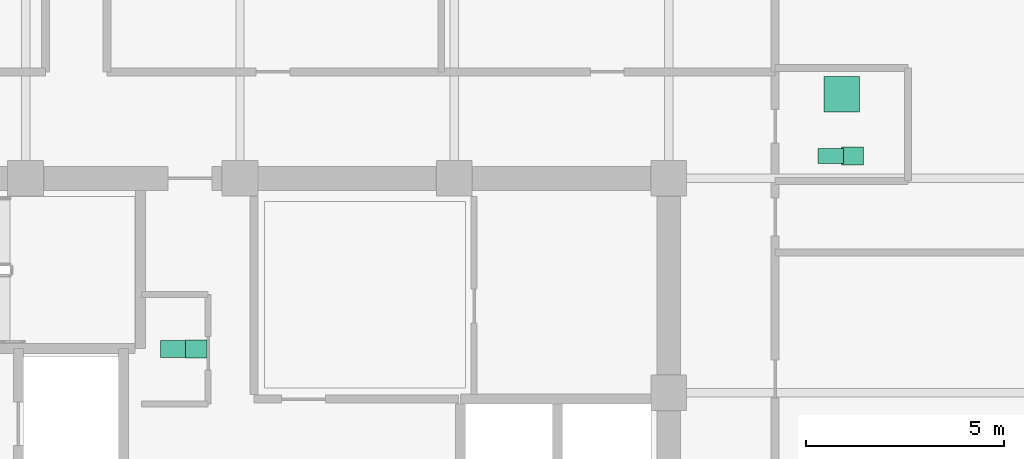
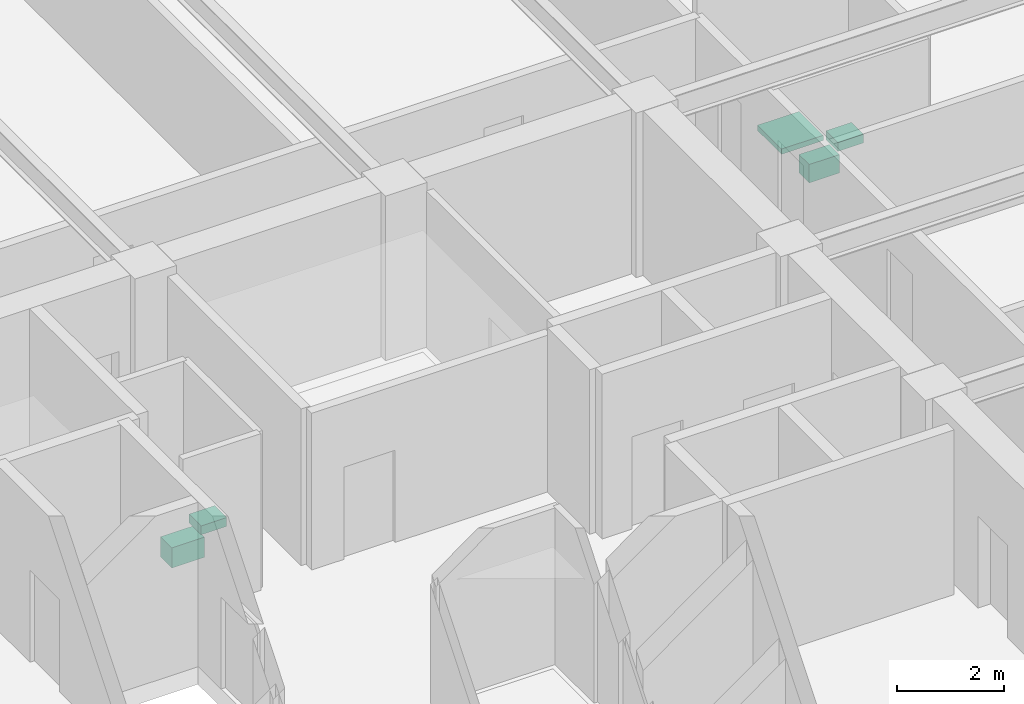
# One storey, part 35 of 36: 5 sanitary terminals.
"""IFC4 building model written with IfcOpenShell, lengths in metres."""

from ifc_helpers import new_model, si_unit, direction, frame, origin, origin_2d, place, context, subcontext, project, spatial, rectangle, extrude, material, type_object, element, save


model = new_model("IFC4")

# Units and contexts
model_context = context("Model", 3, precision=1e-05, world=origin(), true_north=direction((0.0, 1.0)))
body_context = subcontext(model_context, "Body", "Model", "MODEL_VIEW")
ifc_project = project(units=[si_unit("LENGTHUNIT", "METRE"), si_unit("AREAUNIT", "SQUARE_METRE"), si_unit("VOLUMEUNIT", "CUBIC_METRE"), si_unit("PLANEANGLEUNIT", "RADIAN"), si_unit("MASSUNIT", "GRAM", prefix="KILO")], contexts=[model_context])

# Site, building, storey
site_placement = place(None, origin())
site = spatial("IfcSite", under=ifc_project, at=site_placement, CompositionType="ELEMENT")
building_placement = place(site_placement, origin())
building = spatial("IfcBuilding", under=site, at=building_placement, Name="Surkhivell Harbour Commons", CompositionType="ELEMENT")
storey_placement = place(building_placement, frame((0.0, 0.0, 171.0)))
storey = spatial("IfcBuildingStorey", under=building, at=storey_placement, Name="L44", CompositionType="ELEMENT", Elevation=171.0)

# Sanitary terminals
ifc_material_1 = material(Name="Vitreous china washbasin", Category="other")
sanitary_terminal_type_1 = type_object("IfcSanitaryTerminalType", Name="SAN-BSN", PredefinedType="WASHHANDBASIN", material=ifc_material_1)
for number, where, z_axis, x_axis, name in (
    (1, (-1.10009765625, 6.5, 0.72021484375), (0.0, 0.0, 1.0), (1.0, 0.0, 0.0), "L44 Core Accessible WC Washbasin"),
    (2, (15.429931640625, 11.360107421875, 0.72021484375), (0.0, 0.0, 1.0), (1.0, 0.0, 0.0), "L44 East Communal Bathroom WC Washbasin"),
):
    element("IfcSanitaryTerminal", number, at=place(storey_placement, frame(where, z_axis=z_axis, x_axis=x_axis)), inside=storey, type_object=sanitary_terminal_type_1, Name=name, PredefinedType="WASHHANDBASIN", context=body_context, shape_type="SweptSolid", body=[
        extrude(rectangle(XDim=0.550048828125, YDim=0.449951171875, at=origin_2d()), origin(), (0.0, 0.0, 1.0), 0.199951171875),
    ])
ifc_material_2 = material(Name="Glazed porcelain shower tray", Category="other")
sanitary_terminal_type_2 = type_object("IfcSanitaryTerminalType", Name="SAN-SHW", PredefinedType="SHOWER", material=ifc_material_2)
sanitary_terminal_1_placement = place(storey_placement, frame((15.159912109375, 12.919921875, 0.0), z_axis=(0.0, 0.0, 1.0), x_axis=(1.0, 0.0, 0.0)))
element("IfcSanitaryTerminal", 3, at=sanitary_terminal_1_placement, inside=storey, type_object=sanitary_terminal_type_2, Name="L44 East Communal Shower Tray", PredefinedType="SHOWER", context=body_context, shape_type="SweptSolid", body=[
    extrude(rectangle(XDim=0.89990234375, YDim=0.89990234375, at=origin_2d()), origin(), (0.0, 0.0, 1.0), 0.1201171875),
])
ifc_material_3 = material(Name="Vitreous china sanitaryware", Category="other")
sanitary_terminal_type_3 = type_object("IfcSanitaryTerminalType", Name="SAN-WC-ACC", PredefinedType="TOILETPAN", material=ifc_material_3)
sanitary_terminal_2_placement = place(storey_placement, frame((-1.64990234375, 6.5, 0.169921875), z_axis=(0.0, 0.0, 1.0), x_axis=(1.0, 0.0, 0.0)))
element("IfcSanitaryTerminal", 4, at=sanitary_terminal_2_placement, inside=storey, type_object=sanitary_terminal_type_3, Name="L44 Core Accessible WC", PredefinedType="TOILETPAN", context=body_context, shape_type="SweptSolid", body=[
    extrude(rectangle(XDim=0.699951171875, YDim=0.419921875, at=origin_2d()), origin(), (0.0, 0.0, 1.0), 0.4599609375),
])
sanitary_terminal_type_4 = type_object("IfcSanitaryTerminalType", Name="SAN-WC-STD", PredefinedType="TOILETPAN", material=ifc_material_3)
sanitary_terminal_3_placement = place(storey_placement, frame((14.8798828125, 11.360107421875, 0.18994140625), z_axis=(0.0, 0.0, 1.0), x_axis=(1.0, 0.0, 0.0)))
element("IfcSanitaryTerminal", 5, at=sanitary_terminal_3_placement, inside=storey, type_object=sanitary_terminal_type_4, Name="L44 East Communal Bathroom WC", PredefinedType="TOILETPAN", context=body_context, shape_type="SweptSolid", body=[
    extrude(rectangle(XDim=0.64990234375, YDim=0.3798828125, at=origin_2d()), origin(), (0.0, 0.0, 1.0), 0.419921875),
])

save(model, "model.ifc")
